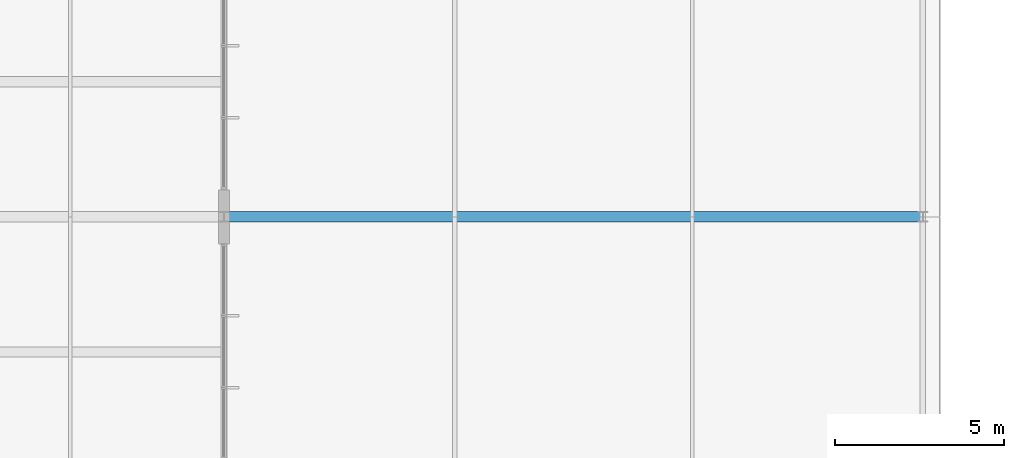
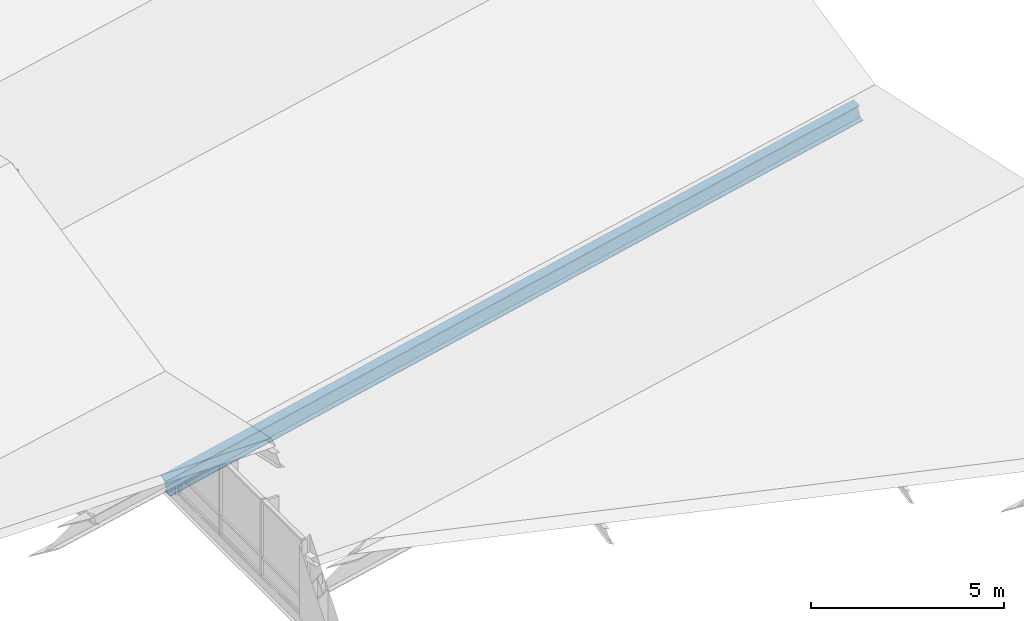
# One storey, part 45 of 109: 1 beam.
"""IFC4 building model written with IfcOpenShell, lengths in metres."""

from ifc_helpers import new_model, si_unit, direction, frame, origin, origin_2d, place, context, subcontext, project, spatial, i_section, extrude, material, material_profile, profile_set, type_object, element, save


model = new_model("IFC4")

# Units and contexts
model_context = context("Model", 3, precision=1e-05, world=origin(), true_north=direction((0.0, 1.0)))
body_context = subcontext(model_context, "Body", "Model", "MODEL_VIEW")
ifc_project = project(units=[si_unit("LENGTHUNIT", "METRE"), si_unit("AREAUNIT", "SQUARE_METRE"), si_unit("VOLUMEUNIT", "CUBIC_METRE"), si_unit("PLANEANGLEUNIT", "RADIAN"), si_unit("MASSUNIT", "GRAM", prefix="KILO")], contexts=[model_context])

# Site, building, storey
site_placement = place(None, origin())
site = spatial("IfcSite", under=ifc_project, at=site_placement, CompositionType="ELEMENT")
building_placement = place(site_placement, origin())
building = spatial("IfcBuilding", under=site, at=building_placement, Name="Zavelmont Quarter", CompositionType="ELEMENT")
storey_placement = place(building_placement, frame((0.0, 0.0, 8.0)))
storey = spatial("IfcBuildingStorey", under=building, at=storey_placement, Name="L02", CompositionType="ELEMENT", Elevation=8.0)

# Beam
ifc_material = material(Name="Steel S355", Category="steel")
ifc_material_profile = material_profile(ifc_material, i_section(OverallWidth=0.300048828125, OverallDepth=0.5400390625, WebThickness=0.012451171875, FlangeThickness=0.02392578125, at=origin_2d()), Name="HEA 550")
ifc_profile_set = profile_set([ifc_material_profile], Name="Steel S355")
beam_type = type_object("IfcBeamType", Name="BM11", PredefinedType="BEAM", material=ifc_profile_set)
beam_placement = place(storey_placement, frame((147.300048828125, 54.0, -0.6298828125), z_axis=(0.97593670434, 0.0, 0.21805400506), x_axis=(0.0, 1.0, 0.0)))
element("IfcBeam", 1, at=beam_placement, inside=storey, type_object=beam_type, Name="L02 beam BM11 22/J to 25/J", PredefinedType="BEAM", context=body_context, shape_type="SweptSolid", body=[
    extrude(i_section(OverallWidth=0.300048828125, OverallDepth=0.5400390625, WebThickness=0.012451171875, FlangeThickness=0.02392578125, at=origin_2d()), origin(), (0.0, 0.0, 1.0), 21.21044921875),
])

save(model, "model.ifc")
